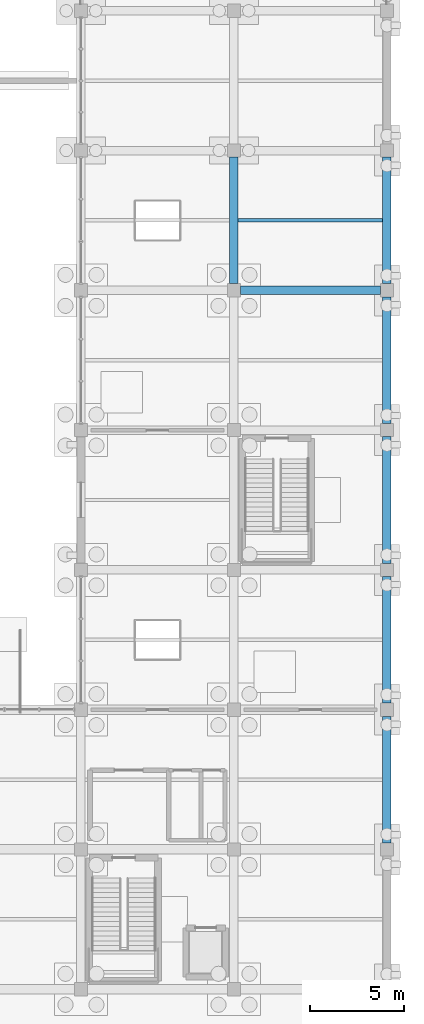
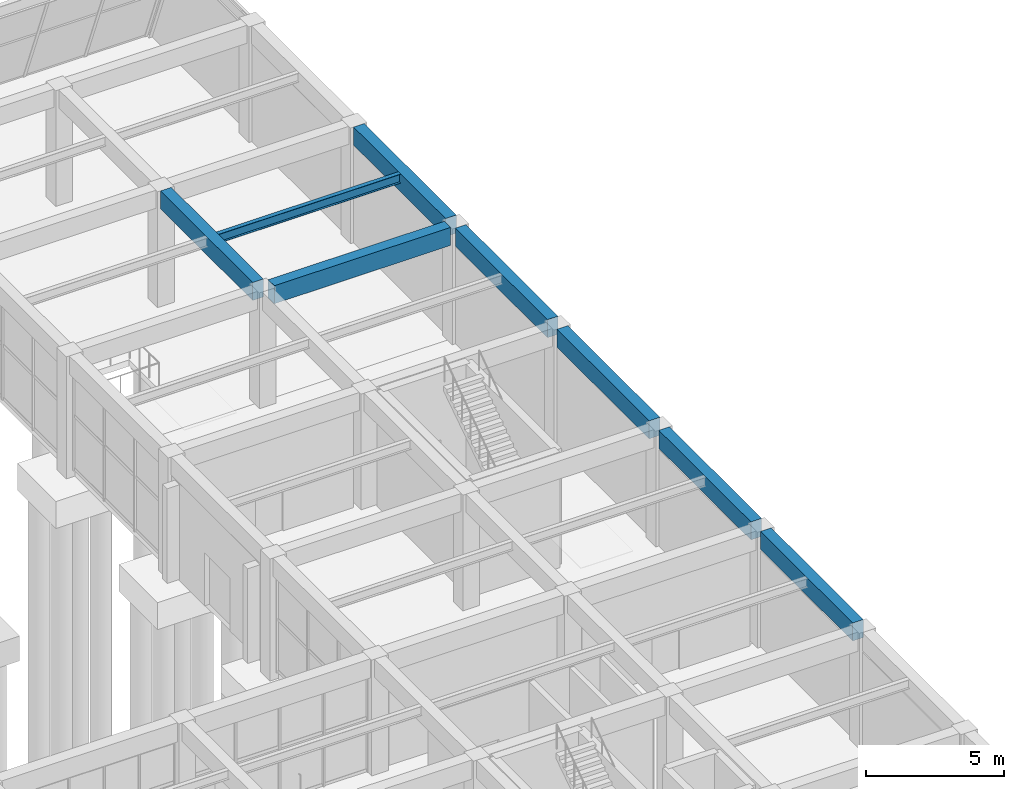
# One storey, part 102 of 140: 8 beams.
"""IFC4 building model written with IfcOpenShell, lengths in metres."""

from ifc_helpers import new_model, si_unit, direction, frame, origin, origin_2d, place, context, subcontext, project, spatial, rectangle, i_section, extrude, material, material_profile, profile_set, type_object, element, save


model = new_model("IFC4")

# Units and contexts
model_context = context("Model", 3, precision=1e-05, world=origin(), true_north=direction((0.0, 1.0)))
body_context = subcontext(model_context, "Body", "Model", "MODEL_VIEW")
ifc_project = project(units=[si_unit("LENGTHUNIT", "METRE"), si_unit("AREAUNIT", "SQUARE_METRE"), si_unit("VOLUMEUNIT", "CUBIC_METRE"), si_unit("PLANEANGLEUNIT", "RADIAN"), si_unit("MASSUNIT", "GRAM", prefix="KILO")], contexts=[model_context])

# Site, building, storey
site_placement = place(None, origin())
site = spatial("IfcSite", under=ifc_project, at=site_placement, CompositionType="ELEMENT")
building_placement = place(site_placement, origin())
building = spatial("IfcBuilding", under=site, at=building_placement, Name="Cimatlan Art Gallery", CompositionType="ELEMENT")
storey_placement = place(building_placement, origin())
storey = spatial("IfcBuildingStorey", under=building, at=storey_placement, Name="L00", CompositionType="ELEMENT", Elevation=0.0)

# Beams
ifc_material_1 = material(Name="Concrete C40/50", Category="concrete")
ifc_material_profile_1 = material_profile(ifc_material_1, rectangle(XDim=0.449951171875, YDim=0.800048828125, at=origin_2d()), Name="RC450X800")
ifc_profile_set_1 = profile_set([ifc_material_profile_1], Name="Concrete C40/50")
beam_type_1 = type_object("IfcBeamType", Name="BM-RC-450X800", PredefinedType="BEAM", material=ifc_profile_set_1)
beam_1_placement = place(storey_placement, frame((155.89990234375, 61.25, 4.735107421875), z_axis=(0.0, 1.0, 0.0), x_axis=(-1.0, 0.0, 0.0)))
element("IfcBeam", 1, at=beam_1_placement, inside=storey, type_object=beam_type_1, Name="BM-Y-L00-19-08", PredefinedType="BEAM", context=body_context, shape_type="SweptSolid", body=[
    extrude(rectangle(XDim=0.449951171875, YDim=0.800048828125, at=origin_2d()), origin(), (0.0, 0.0, 1.0), 6.699951171875),
])
beam_2_placement = place(storey_placement, frame((164.0, 31.64990234375, 4.735107421875), z_axis=(0.0, 1.0, 0.0), x_axis=(-1.0, 0.0, 0.0)))
element("IfcBeam", 2, at=beam_2_placement, inside=storey, type_object=beam_type_1, Name="BM-Y-L00-20-04", PredefinedType="BEAM", context=body_context, shape_type="SweptSolid", body=[
    extrude(rectangle(XDim=0.449951171875, YDim=0.800048828125, at=origin_2d()), origin(), (0.0, 0.0, 1.0), 6.7001953125),
])
for number, where, z_axis, x_axis, name in (
    (3, (164.0, 39.050048828125, 4.735107421875), (0.0, 1.0, 0.0), (-1.0, 0.0, 0.0), "BM-Y-L00-20-05"),
    (4, (164.0, 46.449951171875, 4.735107421875), (0.0, 1.0, 0.0), (-1.0, 0.0, 0.0), "BM-Y-L00-20-06"),
    (5, (164.0, 53.85009765625, 4.735107421875), (0.0, 1.0, 0.0), (-1.0, 0.0, 0.0), "BM-Y-L00-20-07"),
    (6, (164.0, 61.25, 4.735107421875), (0.0, 1.0, 0.0), (-1.0, 0.0, 0.0), "BM-Y-L00-20-08"),
):
    element("IfcBeam", number, at=place(storey_placement, frame(where, z_axis=z_axis, x_axis=x_axis)), inside=storey, type_object=beam_type_1, Name=name, PredefinedType="BEAM", context=body_context, shape_type="SweptSolid", body=[
        extrude(rectangle(XDim=0.449951171875, YDim=0.800048828125, at=origin_2d()), origin(), (0.0, 0.0, 1.0), 6.699951171875),
    ])
beam_3_placement = place(storey_placement, frame((156.25, 60.89990234375, 4.735107421875), z_axis=(1.0, 0.0, 0.0), x_axis=(0.0, 1.0, 0.0)))
element("IfcBeam", 7, at=beam_3_placement, inside=storey, type_object=beam_type_1, Name="BM-X-L00-19-08", PredefinedType="BEAM", context=body_context, shape_type="SweptSolid", body=[
    extrude(rectangle(XDim=0.449951171875, YDim=0.800048828125, at=origin_2d()), origin(), (0.0, 0.0, 1.0), 7.39990234375),
])
ifc_material_2 = material(Name="Steel ASTM A992 Grade 50", Category="steel")
ifc_material_profile_2 = material_profile(ifc_material_2, i_section(OverallWidth=0.177978515625, OverallDepth=0.406982421875, WebThickness=0.0078125, FlangeThickness=0.0126953125, at=origin_2d()), Name="W16X40")
ifc_profile_set_2 = profile_set([ifc_material_profile_2], Name="Steel ASTM A992 Grade 50")
beam_type_2 = type_object("IfcBeamType", Name="BM-STL-W16X40", PredefinedType="JOIST", material=ifc_profile_set_2)
beam_4_placement = place(storey_placement, frame((156.125, 64.60009765625, 4.931396484375), z_axis=(1.0, 0.0, 0.0), x_axis=(0.0, 1.0, 0.0)))
element("IfcBeam", 8, at=beam_4_placement, inside=storey, type_object=beam_type_2, Name="JST-L00-19-08", PredefinedType="JOIST", context=body_context, shape_type="SweptSolid", body=[
    extrude(i_section(OverallWidth=0.177978515625, OverallDepth=0.406982421875, WebThickness=0.0078125, FlangeThickness=0.0126953125, at=origin_2d()), origin(), (0.0, 0.0, 1.0), 7.64990234375),
])

save(model, "model.ifc")
